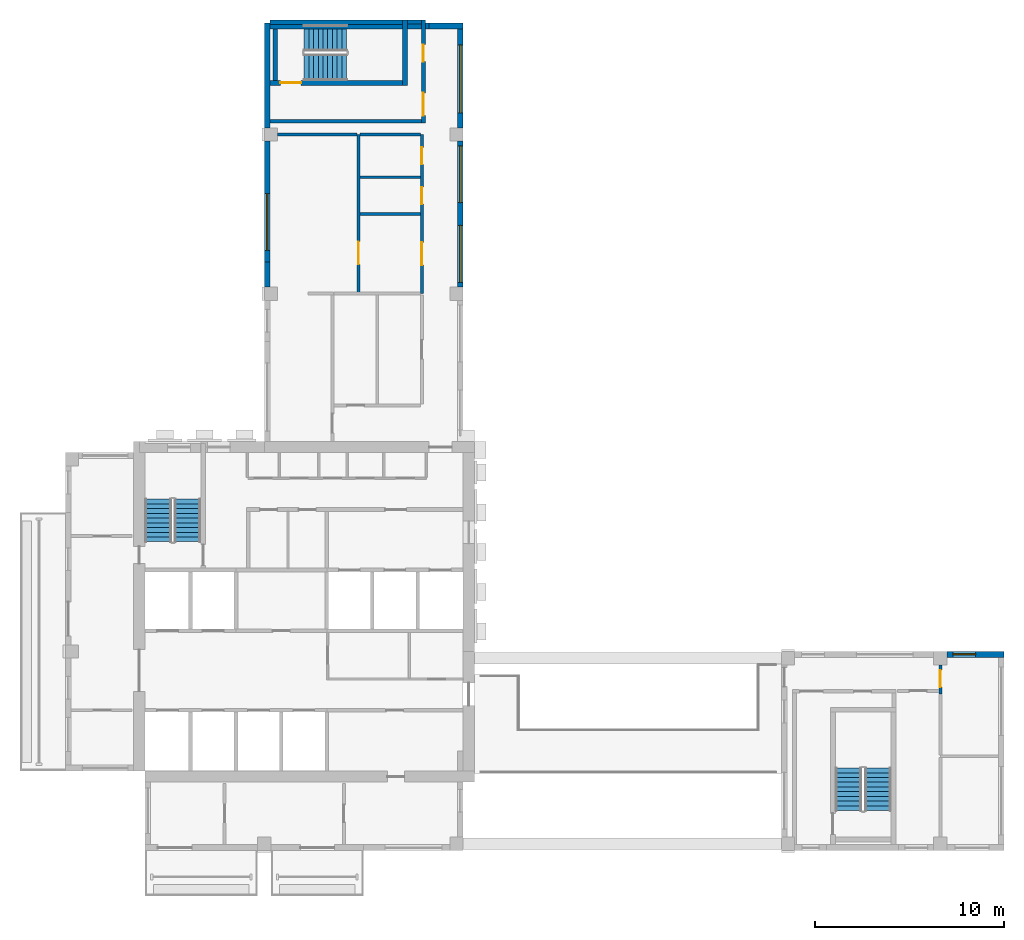
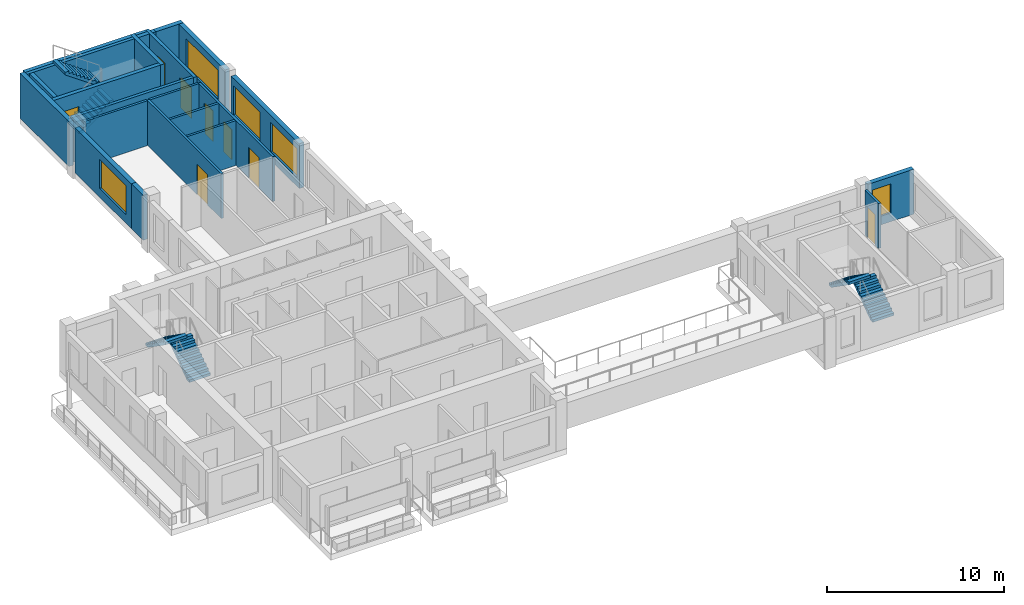
# One storey, part 5 of 9: 22 walls, 8 doors, 6 stair flights, 5 windows, 13 openings, 3 elements without a shape of their own.
"""IFC4 building model written with IfcOpenShell, lengths in metres."""

from ifc_helpers import new_model, si_unit, direction, frame, frame_2d, origin, place, context, subcontext, project, spatial, polyline, rectangle, outline, extrude, source, transform, mapped, material, layer, layer_set, type_object, element, fill, aggregate, save


model = new_model("IFC4")

# Units and contexts
model_context = context("Model", 3, precision=1e-05, world=origin(), true_north=direction((0.0, 1.0)))
body_context = subcontext(model_context, "Body", "Model", "MODEL_VIEW")
ifc_project = project(units=[si_unit("LENGTHUNIT", "METRE"), si_unit("AREAUNIT", "SQUARE_METRE"), si_unit("VOLUMEUNIT", "CUBIC_METRE"), si_unit("PLANEANGLEUNIT", "RADIAN"), si_unit("MASSUNIT", "GRAM", prefix="KILO")], contexts=[model_context])

# Site, building, storey
site_placement = place(None, origin())
site = spatial("IfcSite", under=ifc_project, at=site_placement, CompositionType="ELEMENT")
building_placement = place(site_placement, origin())
building = spatial("IfcBuilding", under=site, at=building_placement, Name="Aurelian Terraces", CompositionType="ELEMENT")
storey_placement = place(building_placement, frame((0.0, 0.0, 305.5)))
storey = spatial("IfcBuildingStorey", under=building, at=storey_placement, Name="L70", CompositionType="ELEMENT", Elevation=305.5)

# Wall, openings, windows
ifc_material_1 = material(Name="Terracotta rainscreen cladding", Category="masonry")
ifc_layer_1 = layer(ifc_material_1, 0.3)
ifc_layer_set_1 = layer_set([ifc_layer_1], Name="EW-300")
wall_type_1 = type_object("IfcWallType", Name="EW-300", PredefinedType="STANDARD", material=ifc_layer_set_1)
shared_shape_1 = source(origin(), body_context, "Body", "SweptSolid", [
    extrude(rectangle(XDim=7.7, YDim=0.3, at=frame_2d((3.85, 0.0))), origin(), (0.0, 0.0, 1.0), 3.1),
])
wall_1_placement = place(storey_placement, frame((20.85, 29.75, 0.0), z_axis=(0.0, 0.0, 1.0), x_axis=(0.0, 1.0, 0.0)))
wall_1 = element("IfcWall", 1, at=wall_1_placement, inside=storey, type_object=wall_type_1, Name="External wall L70 F02.8", PredefinedType="STANDARD", context=body_context, shape_type="MappedRepresentation", body=[
    mapped(shared_shape_1, transform((0.0, 0.0, 0.0), scale=1.0)),
])
shared_shape_2 = source(origin(), body_context, "Body", "SweptSolid", [
    extrude(rectangle(XDim=3.0, YDim=2.0, at=frame_2d((1.5, 1.0))), frame((0.0, 0.16, 0.0), z_axis=(0.0, -1.0, 0.0), x_axis=(1.0, 0.0, 0.0)), (0.0, 0.0, 1.0), 0.32),
])
opening_1_placement = place(wall_1_placement, frame((0.25, 0.0, 0.6)))
opening_1 = element("IfcOpeningElement", 2, at=opening_1_placement, cuts=wall_1, Name="Opening W3020", PredefinedType="OPENING", context=body_context, shape_type="MappedRepresentation", body=[
    mapped(shared_shape_2, transform((0.0, 0.0, 0.0), scale=1.0)),
])
opening_2_placement = place(wall_1_placement, frame((4.45, 0.0, 0.6)))
opening_2 = element("IfcOpeningElement", 3, at=opening_2_placement, cuts=wall_1, Name="Opening W3020", PredefinedType="OPENING", context=body_context, shape_type="MappedRepresentation", body=[
    mapped(shared_shape_2, transform((0.0, 0.0, 0.0), scale=1.0)),
])
ifc_material_2 = material(Name="Clear glazing", Category="glass")
window_type_1 = type_object("IfcWindowType", Name="W-3000x2000", PartitioningType="SINGLE_PANEL", PredefinedType="WINDOW", material=ifc_material_2)
shared_shape_3 = source(origin(), body_context, "Body", "SweptSolid", [
    extrude(rectangle(XDim=3.0, YDim=2.0, at=frame_2d((1.5, 1.0))), frame((0.0, 0.03, 0.0), z_axis=(0.0, -1.0, 0.0), x_axis=(1.0, 0.0, 0.0)), (0.0, 0.0, 1.0), 0.06),
])
window_1_placement = place(opening_1_placement, origin())
window_1 = element("IfcWindow", 4, at=window_1_placement, inside=storey, type_object=window_type_1, Name="Window L70 L70-F02-08-0", OverallHeight=2.0, OverallWidth=3.0, PartitioningType="SINGLE_PANEL", PredefinedType="WINDOW", context=body_context, shape_type="MappedRepresentation", body=[
    mapped(shared_shape_3, transform((0.0, 0.0, 0.0), scale=1.0)),
])
fill(opening_1, window_1)
window_2_placement = place(opening_2_placement, origin())
window_2 = element("IfcWindow", 5, at=window_2_placement, inside=storey, type_object=window_type_1, Name="Window L70 L70-F02-08-1", OverallHeight=2.0, OverallWidth=3.0, PartitioningType="SINGLE_PANEL", PredefinedType="WINDOW", context=body_context, shape_type="MappedRepresentation", body=[
    mapped(shared_shape_3, transform((0.0, 0.0, 0.0), scale=1.0)),
])
fill(opening_2, window_2)

# Wall, opening, window
shared_shape_4 = source(origin(), body_context, "Body", "SweptSolid", [
    extrude(rectangle(XDim=3.01, YDim=0.3, at=frame_2d((1.505, 0.0))), origin(), (0.0, 0.0, 1.0), 3.1),
])
wall_2_placement = place(storey_placement, frame((49.56, 10.35, 0.0), z_axis=(0.0, 0.0, 1.0), x_axis=(-1.0, 0.0, 0.0)))
wall_2 = element("IfcWall", 6, at=wall_2_placement, inside=storey, type_object=wall_type_1, Name="External wall L70 F15.26", PredefinedType="STANDARD", context=body_context, shape_type="MappedRepresentation", body=[
    mapped(shared_shape_4, transform((0.0, 0.0, 0.0), scale=1.0)),
])
shared_shape_5 = source(origin(), body_context, "Body", "SweptSolid", [
    extrude(rectangle(XDim=1.2, YDim=2.0, at=frame_2d((0.6, 1.0))), frame((0.0, 0.16, 0.0), z_axis=(0.0, -1.0, 0.0), x_axis=(1.0, 0.0, 0.0)), (0.0, 0.0, 1.0), 0.32),
])
opening_3_placement = place(wall_2_placement, frame((1.5, 0.0, 0.6)))
opening_3 = element("IfcOpeningElement", 7, at=opening_3_placement, cuts=wall_2, Name="Opening W1220", PredefinedType="OPENING", context=body_context, shape_type="MappedRepresentation", body=[
    mapped(shared_shape_5, transform((0.0, 0.0, 0.0), scale=1.0)),
])
window_type_2 = type_object("IfcWindowType", Name="W-1200x2000", PartitioningType="SINGLE_PANEL", PredefinedType="WINDOW", material=ifc_material_2)
shared_shape_6 = source(origin(), body_context, "Body", "SweptSolid", [
    extrude(rectangle(XDim=1.2, YDim=2.0, at=frame_2d((0.6, 1.0))), frame((0.0, 0.03, 0.0), z_axis=(0.0, -1.0, 0.0), x_axis=(1.0, 0.0, 0.0)), (0.0, 0.0, 1.0), 0.06),
])
window_3_placement = place(opening_3_placement, origin())
window_3 = element("IfcWindow", 8, at=window_3_placement, inside=storey, type_object=window_type_2, Name="Window L70 L70-F15-26-0", OverallHeight=2.0, OverallWidth=1.2, PartitioningType="SINGLE_PANEL", PredefinedType="WINDOW", context=body_context, shape_type="MappedRepresentation", body=[
    mapped(shared_shape_6, transform((0.0, 0.0, 0.0), scale=1.0)),
])
fill(opening_3, window_3)

shared_shape_7 = source(origin(), body_context, "Body", "SweptSolid", [
    extrude(rectangle(XDim=5.53, YDim=0.3, at=frame_2d((2.765, 0.0))), origin(), (0.0, 0.0, 1.0), 3.1),
])
wall_3_placement = place(storey_placement, frame((20.85, 38.15, 0.0), z_axis=(0.0, 0.0, 1.0), x_axis=(0.0, 1.0, 0.0)))
wall_3 = element("IfcWall", 9, at=wall_3_placement, inside=storey, type_object=wall_type_1, Name="External wall L70 F02.9", PredefinedType="STANDARD", context=body_context, shape_type="MappedRepresentation", body=[
    mapped(shared_shape_7, transform((0.0, 0.0, 0.0), scale=1.0)),
])
shared_shape_8 = source(origin(), body_context, "Body", "SweptSolid", [
    extrude(rectangle(XDim=3.6, YDim=2.0, at=frame_2d((1.8, 1.0))), frame((0.0, 0.16, 0.0), z_axis=(0.0, -1.0, 0.0), x_axis=(1.0, 0.0, 0.0)), (0.0, 0.0, 1.0), 0.32),
])
opening_4_placement = place(wall_3_placement, frame((0.79, 0.0, 0.6)))
opening_4 = element("IfcOpeningElement", 10, at=opening_4_placement, cuts=wall_3, Name="Opening W3620", PredefinedType="OPENING", context=body_context, shape_type="MappedRepresentation", body=[
    mapped(shared_shape_8, transform((0.0, 0.0, 0.0), scale=1.0)),
])
window_type_3 = type_object("IfcWindowType", Name="W-3600x2000", PartitioningType="SINGLE_PANEL", PredefinedType="WINDOW", material=ifc_material_2)
shared_shape_9 = source(origin(), body_context, "Body", "SweptSolid", [
    extrude(rectangle(XDim=3.6, YDim=2.0, at=frame_2d((1.8, 1.0))), frame((0.0, 0.03, 0.0), z_axis=(0.0, -1.0, 0.0), x_axis=(1.0, 0.0, 0.0)), (0.0, 0.0, 1.0), 0.06),
])
window_4_placement = place(opening_4_placement, origin())
window_4 = element("IfcWindow", 11, at=window_4_placement, inside=storey, type_object=window_type_3, Name="Window L70 L70-F02-09-0", OverallHeight=2.0, OverallWidth=3.6, PartitioningType="SINGLE_PANEL", PredefinedType="WINDOW", context=body_context, shape_type="MappedRepresentation", body=[
    mapped(shared_shape_9, transform((0.0, 0.0, 0.0), scale=1.0)),
])
fill(opening_4, window_4)

# Walls
shared_shape_10 = source(origin(), body_context, "Body", "SweptSolid", [
    extrude(rectangle(XDim=1.8, YDim=0.3, at=frame_2d((0.9, 0.0))), origin(), (0.0, 0.0, 1.0), 3.1),
])
wall_4_placement = place(storey_placement, frame((21.0, 43.53, 0.0), z_axis=(0.0, 0.0, 1.0), x_axis=(-1.0, 0.0, 0.0)))
element("IfcWall", 12, at=wall_4_placement, inside=storey, type_object=wall_type_1, Name="External wall L70 F03.10", PredefinedType="STANDARD", context=body_context, shape_type="MappedRepresentation", body=[
    mapped(shared_shape_10, transform((0.0, 0.0, 0.0), scale=1.0)),
])
ifc_material_3 = material(Name="Concrete fc' 40 MPa", Category="concrete")
ifc_layer_2 = layer(ifc_material_3, 0.3)
ifc_layer_set_2 = layer_set([ifc_layer_2], Name="STAIR BAY WALL 300")
wall_type_2 = type_object("IfcWallType", Name="STAIR BAY WALL 300", PredefinedType="SOLIDWALL", material=ifc_layer_set_2)
shared_shape_11 = source(origin(), body_context, "Body", "SweptSolid", [
    extrude(rectangle(XDim=8.6, YDim=0.3, at=frame_2d((4.3, 0.0))), origin(), (0.0, 0.0, 1.0), 3.1),
])
wall_5_placement = place(storey_placement, frame((19.2, 43.53, 0.0), z_axis=(0.0, 0.0, 1.0), x_axis=(-1.0, 0.0, 0.0)))
element("IfcWall", 13, at=wall_5_placement, inside=storey, type_object=wall_type_2, Name="Stair bay wall L70 F03.10", PredefinedType="SOLIDWALL", context=body_context, shape_type="MappedRepresentation", body=[
    mapped(shared_shape_11, transform((0.0, 0.0, 0.0), scale=1.0)),
])
shared_shape_12 = source(origin(), body_context, "Body", "SweptSolid", [
    extrude(rectangle(XDim=5.53, YDim=0.3, at=frame_2d((2.765, 0.0))), origin(), (0.0, 0.0, 1.0), 3.1),
])
wall_6_placement = place(storey_placement, frame((10.65, 43.68, 0.0), z_axis=(0.0, 0.0, 1.0), x_axis=(0.0, -1.0, 0.0)))
element("IfcWall", 14, at=wall_6_placement, inside=storey, type_object=wall_type_2, Name="Stair bay wall L70 F04.11", PredefinedType="SOLIDWALL", context=body_context, shape_type="MappedRepresentation", body=[
    mapped(shared_shape_12, transform((0.0, 0.0, 0.0), scale=1.0)),
])

# Wall, opening, window
shared_shape_13 = source(origin(), body_context, "Body", "SweptSolid", [
    extrude(rectangle(XDim=6.37, YDim=0.3, at=frame_2d((3.185, 0.0))), origin(), (0.0, 0.0, 1.0), 3.1),
])
wall_7_placement = place(storey_placement, frame((10.65, 37.45, 0.0), z_axis=(0.0, 0.0, 1.0), x_axis=(0.0, -1.0, 0.0)))
wall_7 = element("IfcWall", 15, at=wall_7_placement, inside=storey, type_object=wall_type_1, Name="External wall L70 F04.11", PredefinedType="STANDARD", context=body_context, shape_type="MappedRepresentation", body=[
    mapped(shared_shape_13, transform((0.0, 0.0, 0.0), scale=1.0)),
])
opening_5_placement = place(wall_7_placement, frame((2.77, 0.0, 0.6)))
opening_5 = element("IfcOpeningElement", 16, at=opening_5_placement, cuts=wall_7, Name="Opening W3020", PredefinedType="OPENING", context=body_context, shape_type="MappedRepresentation", body=[
    mapped(shared_shape_2, transform((0.0, 0.0, 0.0), scale=1.0)),
])
window_5_placement = place(opening_5_placement, origin())
window_5 = element("IfcWindow", 17, at=window_5_placement, inside=storey, type_object=window_type_1, Name="Window L70 L70-F04-11-2", OverallHeight=2.0, OverallWidth=3.0, PartitioningType="SINGLE_PANEL", PredefinedType="WINDOW", context=body_context, shape_type="MappedRepresentation", body=[
    mapped(shared_shape_3, transform((0.0, 0.0, 0.0), scale=1.0)),
])
fill(opening_5, window_5)

# Wall
shared_shape_14 = source(origin(), body_context, "Body", "SweptSolid", [
    extrude(rectangle(XDim=1.33, YDim=0.3, at=frame_2d((0.665, 0.0))), origin(), (0.0, 0.0, 1.0), 3.1),
])
wall_8_placement = place(storey_placement, frame((10.65, 31.08, 0.0), z_axis=(0.0, 0.0, 1.0), x_axis=(0.0, -1.0, 0.0)))
element("IfcWall", 18, at=wall_8_placement, inside=storey, type_object=wall_type_1, Name="External wall L70 F04.12", PredefinedType="STANDARD", context=body_context, shape_type="MappedRepresentation", body=[
    mapped(shared_shape_14, transform((0.0, 0.0, 0.0), scale=1.0)),
])

# Wall, opening, door
ifc_layer_3 = layer(ifc_material_3, 0.25)
ifc_layer_set_3 = layer_set([ifc_layer_3], Name="Stair enclosure wall 250")
wall_type_3 = type_object("IfcWallType", Name="Stair enclosure wall 250", PredefinedType="SOLIDWALL", material=ifc_layer_set_3)
shared_shape_15 = source(origin(), body_context, "Body", "SweptSolid", [
    extrude(rectangle(XDim=7.0, YDim=0.25, at=frame_2d((3.5, 0.0))), origin(), (0.0, 0.0, 1.0), 3.1),
])
wall_9_placement = place(storey_placement, frame((10.8, 40.525, 0.0), z_axis=(0.0, 0.0, 1.0), x_axis=(1.0, 0.0, 0.0)))
wall_9 = element("IfcWall", 19, at=wall_9_placement, inside=storey, type_object=wall_type_3, Name="L70 core wall ST-S3U-W", PredefinedType="SOLIDWALL", context=body_context, shape_type="MappedRepresentation", body=[
    mapped(shared_shape_15, transform((0.0, 0.0, 0.0), scale=1.0)),
])
shared_shape_16 = source(origin(), body_context, "Body", "SweptSolid", [
    extrude(rectangle(XDim=1.1, YDim=2.1, at=frame_2d((0.55, 1.05))), frame((0.0, 0.135, 0.0), z_axis=(0.0, -1.0, 0.0), x_axis=(1.0, 0.0, 0.0)), (0.0, 0.0, 1.0), 0.27),
])
opening_6_placement = place(wall_9_placement, frame((0.55, 0.0, 0.0)))
opening_6 = element("IfcOpeningElement", 20, at=opening_6_placement, cuts=wall_9, Name="Opening 67325", PredefinedType="OPENING", context=body_context, shape_type="MappedRepresentation", body=[
    mapped(shared_shape_16, transform((0.0, 0.0, 0.0), scale=1.0)),
])
ifc_material_4 = material(Name="Steel door leaf", Category="steel")
door_type_1 = type_object("IfcDoorType", Name="Core fire door 1100x2100", OperationType="SINGLE_SWING_LEFT", PredefinedType="DOOR", material=ifc_material_4)
shared_shape_17 = source(origin(), body_context, "Body", "SweptSolid", [
    extrude(rectangle(XDim=1.1, YDim=2.1, at=frame_2d((0.55, 1.05))), frame((0.0, 0.025, 0.0), z_axis=(0.0, -1.0, 0.0), x_axis=(1.0, 0.0, 0.0)), (0.0, 0.0, 1.0), 0.05),
])
door_1_placement = place(opening_6_placement, origin())
door_1 = element("IfcDoor", 21, at=door_1_placement, inside=storey, type_object=door_type_1, Name="Stair door 67325", OperationType="SINGLE_SWING_LEFT", OverallHeight=2.1, OverallWidth=1.1, PredefinedType="DOOR", context=body_context, shape_type="MappedRepresentation", body=[
    mapped(shared_shape_17, transform((0.0, 0.0, 0.0), scale=1.0)),
])
fill(opening_6, door_1)

# Walls
wall_10_placement = place(storey_placement, frame((10.8, 43.725, 0.0), z_axis=(0.0, 0.0, 1.0), x_axis=(1.0, 0.0, 0.0)))
element("IfcWall", 22, at=wall_10_placement, inside=storey, type_object=wall_type_3, Name="L70 core wall ST-S3U-E", PredefinedType="SOLIDWALL", context=body_context, shape_type="MappedRepresentation", body=[
    mapped(shared_shape_15, transform((0.0, 0.0, 0.0), scale=1.0)),
])
shared_shape_18 = source(origin(), body_context, "Body", "SweptSolid", [
    extrude(rectangle(XDim=3.45, YDim=0.25, at=frame_2d((1.725, 0.0))), origin(), (0.0, 0.0, 1.0), 3.1),
])
wall_11_placement = place(storey_placement, frame((17.925, 40.4, 0.0), z_axis=(0.0, 0.0, 1.0), x_axis=(0.0, 1.0, 0.0)))
element("IfcWall", 23, at=wall_11_placement, inside=storey, type_object=wall_type_3, Name="L70 core wall ST-S3U-N", PredefinedType="SOLIDWALL", context=body_context, shape_type="MappedRepresentation", body=[
    mapped(shared_shape_18, transform((0.0, 0.0, 0.0), scale=1.0)),
])
ifc_material_5 = material(Name="Gypsum board on steel studs", Category="steel")
ifc_layer_4 = layer(ifc_material_5, 0.2)
ifc_layer_set_4 = layer_set([ifc_layer_4], Name="Core partition 200")
wall_type_4 = type_object("IfcWallType", Name="Core partition 200", PredefinedType="PARTITIONING", material=ifc_layer_set_4)
shared_shape_19 = source(origin(), body_context, "Body", "SweptSolid", [
    extrude(rectangle(XDim=8.0, YDim=0.2, at=frame_2d((4.0, 0.0))), origin(), (0.0, 0.0, 1.0), 3.1),
])
wall_12_placement = place(storey_placement, frame((10.8, 38.5, 0.0), z_axis=(0.0, 0.0, 1.0), x_axis=(1.0, 0.0, 0.0)))
element("IfcWall", 24, at=wall_12_placement, inside=storey, type_object=wall_type_4, Name="L70 core wall ST-S3U-VW", PredefinedType="PARTITIONING", context=body_context, shape_type="MappedRepresentation", body=[
    mapped(shared_shape_19, transform((0.0, 0.0, 0.0), scale=1.0)),
])

# Wall, openings, doors
shared_shape_20 = source(origin(), body_context, "Body", "SweptSolid", [
    extrude(rectangle(XDim=5.45, YDim=0.2, at=frame_2d((2.725, 0.0))), origin(), (0.0, 0.0, 1.0), 3.1),
])
wall_13_placement = place(storey_placement, frame((18.9, 38.4, 0.0), z_axis=(0.0, 0.0, 1.0), x_axis=(0.0, 1.0, 0.0)))
wall_13 = element("IfcWall", 25, at=wall_13_placement, inside=storey, type_object=wall_type_4, Name="L70 core wall ST-S3U-BN", PredefinedType="PARTITIONING", context=body_context, shape_type="MappedRepresentation", body=[
    mapped(shared_shape_20, transform((0.0, 0.0, 0.0), scale=1.0)),
])
shared_shape_21 = source(origin(), body_context, "Body", "SweptSolid", [
    extrude(rectangle(XDim=1.2, YDim=2.1, at=frame_2d((0.6, 1.05))), frame((0.0, 0.11, 0.0), z_axis=(0.0, -1.0, 0.0), x_axis=(1.0, 0.0, 0.0)), (0.0, 0.0, 1.0), 0.22),
])
opening_7_placement = place(wall_13_placement, frame((0.4, 0.0, 0.0)))
opening_7 = element("IfcOpeningElement", 26, at=opening_7_placement, cuts=wall_13, Name="Opening 67326", PredefinedType="OPENING", context=body_context, shape_type="MappedRepresentation", body=[
    mapped(shared_shape_21, transform((0.0, 0.0, 0.0), scale=1.0)),
])
shared_shape_22 = source(origin(), body_context, "Body", "SweptSolid", [
    extrude(rectangle(XDim=0.9, YDim=2.1, at=frame_2d((0.45, 1.05))), frame((0.0, 0.11, 0.0), z_axis=(0.0, -1.0, 0.0), x_axis=(1.0, 0.0, 0.0)), (0.0, 0.0, 1.0), 0.22),
])
opening_8_placement = place(wall_13_placement, frame((3.25, 0.0, 0.0)))
opening_8 = element("IfcOpeningElement", 27, at=opening_8_placement, cuts=wall_13, Name="Opening 67327", PredefinedType="OPENING", context=body_context, shape_type="MappedRepresentation", body=[
    mapped(shared_shape_22, transform((0.0, 0.0, 0.0), scale=1.0)),
])
door_type_2 = type_object("IfcDoorType", Name="Core riser door 900x2100", OperationType="SINGLE_SWING_LEFT", PredefinedType="DOOR", material=ifc_material_4)
shared_shape_23 = source(origin(), body_context, "Body", "SweptSolid", [
    extrude(rectangle(XDim=0.9, YDim=2.1, at=frame_2d((0.45, 1.05))), frame((0.0, 0.025, 0.0), z_axis=(0.0, -1.0, 0.0), x_axis=(1.0, 0.0, 0.0)), (0.0, 0.0, 1.0), 0.05),
])
door_2_placement = place(opening_8_placement, origin())
door_2 = element("IfcDoor", 28, at=door_2_placement, inside=storey, type_object=door_type_2, Name="Riser door 67327", OperationType="SINGLE_SWING_LEFT", OverallHeight=2.1, OverallWidth=0.9, PredefinedType="DOOR", context=body_context, shape_type="MappedRepresentation", body=[
    mapped(shared_shape_23, transform((0.0, 0.0, 0.0), scale=1.0)),
])
fill(opening_8, door_2)
door_type_3 = type_object("IfcDoorType", Name="Core fire door 1200x2100 right", OperationType="SINGLE_SWING_RIGHT", PredefinedType="DOOR", material=ifc_material_4)
shared_shape_24 = source(origin(), body_context, "Body", "SweptSolid", [
    extrude(rectangle(XDim=1.2, YDim=2.1, at=frame_2d((0.6, 1.05))), frame((0.0, 0.025, 0.0), z_axis=(0.0, -1.0, 0.0), x_axis=(1.0, 0.0, 0.0)), (0.0, 0.0, 1.0), 0.05),
])
door_3_placement = place(opening_7_placement, origin())
door_3 = element("IfcDoor", 29, at=door_3_placement, inside=storey, type_object=door_type_3, Name="Vestibule door 67326", OperationType="SINGLE_SWING_RIGHT", OverallHeight=2.1, OverallWidth=1.2, PredefinedType="DOOR", context=body_context, shape_type="MappedRepresentation", body=[
    mapped(shared_shape_24, transform((0.0, 0.0, 0.0), scale=1.0)),
])
fill(opening_7, door_3)

# Walls
shared_shape_25 = source(origin(), body_context, "Body", "SweptSolid", [
    extrude(rectangle(XDim=0.75, YDim=0.2, at=frame_2d((0.375, 0.0))), origin(), (0.0, 0.0, 1.0), 3.1),
])
wall_14_placement = place(storey_placement, frame((18.05, 43.75, 0.0), z_axis=(0.0, 0.0, 1.0), x_axis=(1.0, 0.0, 0.0)))
element("IfcWall", 30, at=wall_14_placement, inside=storey, type_object=wall_type_4, Name="L70 core wall ST-S3U-RE", PredefinedType="PARTITIONING", context=body_context, shape_type="MappedRepresentation", body=[
    mapped(shared_shape_25, transform((0.0, 0.0, 0.0), scale=1.0)),
])
shared_shape_26 = source(origin(), body_context, "Body", "SweptSolid", [
    extrude(rectangle(XDim=2.73, YDim=0.25, at=frame_2d((1.365, 0.0))), origin(), (0.0, 0.0, 1.0), 3.1),
])
wall_15_placement = place(storey_placement, frame((11.075, 40.65, 0.0), z_axis=(0.0, 0.0, 1.0), x_axis=(0.0, 1.0, 0.0)))
element("IfcWall", 31, at=wall_15_placement, inside=storey, type_object=wall_type_3, Name="L70 core wall ST-S3U-SS", PredefinedType="SOLIDWALL", context=body_context, shape_type="MappedRepresentation", body=[
    mapped(shared_shape_26, transform((0.0, 0.0, 0.0), scale=1.0)),
])
ifc_layer_5 = layer(ifc_material_5, 0.15)
ifc_layer_set_5 = layer_set([ifc_layer_5], Name="Partition 150")
wall_type_5 = type_object("IfcWallType", Name="Partition 150", PredefinedType="PARTITIONING", material=ifc_layer_set_5)
shared_shape_27 = source(origin(), body_context, "Body", "SweptSolid", [
    extrude(rectangle(XDim=3.2, YDim=0.15, at=frame_2d((1.6, 0.0))), origin(), (0.0, 0.0, 1.0), 3.1),
])
for number, where, z_axis, x_axis, name in (
    (32, (18.75, 33.6049, 0.0), (0.0, 0.0, 1.0), (-1.0, 0.0, 0.0), "Partition"),
    (33, (18.75, 35.5483, 0.0), (0.0, 0.0, 1.0), (-1.0, 0.0, 0.0), "Partition"),
):
    element("IfcWall", number, at=place(storey_placement, frame(where, z_axis=z_axis, x_axis=x_axis)), inside=storey, type_object=wall_type_5, Name=name, PredefinedType="PARTITIONING", context=body_context, shape_type="MappedRepresentation", body=[
        mapped(shared_shape_27, transform((0.0, 0.0, 0.0), scale=1.0)),
    ])
ifc_layer_6 = layer(ifc_material_5, 0.15)
ifc_layer_set_6 = layer_set([ifc_layer_6], Name="Fire partition 150")
wall_type_6 = type_object("IfcWallType", Name="Fire partition 150", PredefinedType="PARTITIONING", material=ifc_layer_set_6)
wall_16_placement = place(storey_placement, frame((18.75, 37.8, 0.0), z_axis=(0.0, 0.0, 1.0), x_axis=(-1.0, 0.0, 0.0)))
element("IfcWall", 34, at=wall_16_placement, inside=storey, type_object=wall_type_6, Name="Party wall", PredefinedType="PARTITIONING", context=body_context, shape_type="MappedRepresentation", body=[
    mapped(shared_shape_27, transform((0.0, 0.0, 0.0), scale=1.0)),
])
shared_shape_28 = source(origin(), body_context, "Body", "SweptSolid", [
    extrude(rectangle(XDim=4.201, YDim=0.15, at=frame_2d((2.1005, 0.0))), origin(), (0.0, 0.0, 1.0), 3.1),
])
wall_17_placement = place(storey_placement, frame((15.4, 37.8, 0.0), z_axis=(0.0, 0.0, 1.0), x_axis=(-1.0, 0.0, 0.0)))
element("IfcWall", 35, at=wall_17_placement, inside=storey, type_object=wall_type_6, Name="Party wall", PredefinedType="PARTITIONING", context=body_context, shape_type="MappedRepresentation", body=[
    mapped(shared_shape_28, transform((0.0, 0.0, 0.0), scale=1.0)),
])

# Wall, opening, door
shared_shape_29 = source(origin(), body_context, "Body", "SweptSolid", [
    extrude(rectangle(XDim=8.4, YDim=0.15, at=frame_2d((4.2, 0.0))), origin(), (0.0, 0.0, 1.0), 3.1),
])
wall_18_placement = place(storey_placement, frame((15.475, 29.4, 0.0), z_axis=(0.0, 0.0, 1.0), x_axis=(0.0, 1.0, 0.0)))
wall_18 = element("IfcWall", 36, at=wall_18_placement, inside=storey, type_object=wall_type_5, Name="Partition", PredefinedType="PARTITIONING", context=body_context, shape_type="MappedRepresentation", body=[
    mapped(shared_shape_29, transform((0.0, 0.0, 0.0), scale=1.0)),
])
shared_shape_30 = source(origin(), body_context, "Body", "SweptSolid", [
    extrude(rectangle(XDim=1.2, YDim=2.1, at=frame_2d((0.6, 1.05))), frame((0.0, 0.085, 0.0), z_axis=(0.0, -1.0, 0.0), x_axis=(1.0, 0.0, 0.0)), (0.0, 0.0, 1.0), 0.17),
])
opening_9_placement = place(wall_18_placement, frame((1.5524, 0.0, 0.0)))
opening_9 = element("IfcOpeningElement", 37, at=opening_9_placement, cuts=wall_18, Name="Opening 770010", PredefinedType="OPENING", context=body_context, shape_type="MappedRepresentation", body=[
    mapped(shared_shape_30, transform((0.0, 0.0, 0.0), scale=1.0)),
])
ifc_material_6 = material(Name="Timber door leaf", Category="wood")
door_type_4 = type_object("IfcDoorType", Name="Room door 1200x2100 right", OperationType="SINGLE_SWING_RIGHT", PredefinedType="DOOR", material=ifc_material_6)
door_4_placement = place(opening_9_placement, origin())
door_4 = element("IfcDoor", 38, at=door_4_placement, inside=storey, type_object=door_type_4, Name="Door 770010", OperationType="SINGLE_SWING_RIGHT", OverallHeight=2.1, OverallWidth=1.2, PredefinedType="DOOR", context=body_context, shape_type="MappedRepresentation", body=[
    mapped(shared_shape_24, transform((0.0, 0.0, 0.0), scale=1.0)),
])
fill(opening_9, door_4)

# Wall, openings, doors
wall_19_placement = place(storey_placement, frame((18.825, 29.4, 0.0), z_axis=(0.0, 0.0, 1.0), x_axis=(0.0, 1.0, 0.0)))
wall_19 = element("IfcWall", 39, at=wall_19_placement, inside=storey, type_object=wall_type_6, Name="Corridor wall", PredefinedType="PARTITIONING", context=body_context, shape_type="MappedRepresentation", body=[
    mapped(shared_shape_29, transform((0.0, 0.0, 0.0), scale=1.0)),
])
opening_10_placement = place(wall_19_placement, frame((1.5024, 0.0, 0.0)))
opening_10 = element("IfcOpeningElement", 40, at=opening_10_placement, cuts=wall_19, Name="Opening 770009", PredefinedType="OPENING", context=body_context, shape_type="MappedRepresentation", body=[
    mapped(shared_shape_30, transform((0.0, 0.0, 0.0), scale=1.0)),
])
shared_shape_31 = source(origin(), body_context, "Body", "SweptSolid", [
    extrude(rectangle(XDim=0.9, YDim=2.1, at=frame_2d((0.45, 1.05))), frame((0.0, 0.085, 0.0), z_axis=(0.0, -1.0, 0.0), x_axis=(1.0, 0.0, 0.0)), (0.0, 0.0, 1.0), 0.17),
])
opening_11_placement = place(wall_19_placement, frame((4.7266, 0.0, 0.0)))
opening_11 = element("IfcOpeningElement", 41, at=opening_11_placement, cuts=wall_19, Name="Opening 770011", PredefinedType="OPENING", context=body_context, shape_type="MappedRepresentation", body=[
    mapped(shared_shape_31, transform((0.0, 0.0, 0.0), scale=1.0)),
])
opening_12_placement = place(wall_19_placement, frame((6.8242, 0.0, 0.0)))
opening_12 = element("IfcOpeningElement", 42, at=opening_12_placement, cuts=wall_19, Name="Opening 770012", PredefinedType="OPENING", context=body_context, shape_type="MappedRepresentation", body=[
    mapped(shared_shape_31, transform((0.0, 0.0, 0.0), scale=1.0)),
])
door_type_5 = type_object("IfcDoorType", Name="Entrance fire door 900x2100 left", OperationType="SINGLE_SWING_LEFT", PredefinedType="DOOR", material=ifc_material_4)
door_5_placement = place(opening_11_placement, origin())
door_5 = element("IfcDoor", 43, at=door_5_placement, inside=storey, type_object=door_type_5, Name="Door 770011", OperationType="SINGLE_SWING_LEFT", OverallHeight=2.1, OverallWidth=0.9, PredefinedType="DOOR", context=body_context, shape_type="MappedRepresentation", body=[
    mapped(shared_shape_23, transform((0.0, 0.0, 0.0), scale=1.0)),
])
fill(opening_11, door_5)
door_type_6 = type_object("IfcDoorType", Name="Entrance fire door 900x2100 right", OperationType="SINGLE_SWING_RIGHT", PredefinedType="DOOR", material=ifc_material_4)
door_6_placement = place(opening_12_placement, origin())
door_6 = element("IfcDoor", 44, at=door_6_placement, inside=storey, type_object=door_type_6, Name="Door 770012", OperationType="SINGLE_SWING_RIGHT", OverallHeight=2.1, OverallWidth=0.9, PredefinedType="DOOR", context=body_context, shape_type="MappedRepresentation", body=[
    mapped(shared_shape_23, transform((0.0, 0.0, 0.0), scale=1.0)),
])
fill(opening_12, door_6)
door_type_7 = type_object("IfcDoorType", Name="Entrance fire door 1200x2100 left", OperationType="SINGLE_SWING_LEFT", PredefinedType="DOOR", material=ifc_material_4)
door_7_placement = place(opening_10_placement, origin())
door_7 = element("IfcDoor", 45, at=door_7_placement, inside=storey, type_object=door_type_7, Name="Door 770009", OperationType="SINGLE_SWING_LEFT", OverallHeight=2.1, OverallWidth=1.2, PredefinedType="DOOR", context=body_context, shape_type="MappedRepresentation", body=[
    mapped(shared_shape_24, transform((0.0, 0.0, 0.0), scale=1.0)),
])
fill(opening_10, door_7)

# Wall, opening, door
shared_shape_32 = source(origin(), body_context, "Body", "SweptSolid", [
    extrude(rectangle(XDim=1.551, YDim=0.15, at=frame_2d((0.7755, 0.0))), origin(), (0.0, 0.0, 1.0), 3.1),
])
wall_20_placement = place(storey_placement, frame((46.2, 9.801, 0.0), z_axis=(0.0, 0.0, 1.0), x_axis=(0.0, -1.0, 0.0)))
wall_20 = element("IfcWall", 46, at=wall_20_placement, inside=storey, type_object=wall_type_5, Name="Partition", PredefinedType="PARTITIONING", context=body_context, shape_type="MappedRepresentation", body=[
    mapped(shared_shape_32, transform((0.0, 0.0, 0.0), scale=1.0)),
])
opening_13_placement = place(wall_20_placement, frame((0.275, 0.0, 0.0)))
opening_13 = element("IfcOpeningElement", 47, at=opening_13_placement, cuts=wall_20, Name="Opening 770013", PredefinedType="OPENING", context=body_context, shape_type="MappedRepresentation", body=[
    mapped(shared_shape_31, transform((0.0, 0.0, 0.0), scale=1.0)),
])
door_type_8 = type_object("IfcDoorType", Name="Room door 900x2100 left", OperationType="SINGLE_SWING_LEFT", PredefinedType="DOOR", material=ifc_material_6)
door_8_placement = place(opening_13_placement, origin())
door_8 = element("IfcDoor", 48, at=door_8_placement, inside=storey, type_object=door_type_8, Name="Door 770013", OperationType="SINGLE_SWING_LEFT", OverallHeight=2.1, OverallWidth=0.9, PredefinedType="DOOR", context=body_context, shape_type="MappedRepresentation", body=[
    mapped(shared_shape_23, transform((0.0, 0.0, 0.0), scale=1.0)),
])
fill(opening_13, door_8)

# Stair, stair flights
stair_type = type_object("IfcStairType", Name="Stair 1400", PredefinedType="HALF_TURN_STAIR", material=ifc_material_3)
stair_1_placement = place(storey_placement, origin())
stair_1 = element("IfcStair", 49, at=stair_1_placement, inside=storey, type_object=stair_type, Name="L70 S1", PredefinedType="HALF_TURN_STAIR")
stair_flight_type = type_object("IfcStairFlightType", Name="Stair flight 1400", PredefinedType="STRAIGHT", material=ifc_material_3)
shared_shape_33 = source(origin(), body_context, "Body", "SweptSolid", [
    extrude(outline(polyline([(0.0, 0.0), (0.0, 0.175), (0.25, 0.175), (0.25, 0.35), (0.5, 0.35), (0.5, 0.525), (0.75, 0.525), (0.75, 0.7), (1.0, 0.7), (1.0, 0.875), (1.25, 0.875), (1.25, 1.05), (1.5, 1.05), (1.5, 1.225), (1.75, 1.225), (1.75, 1.4), (2.0, 1.4), (2.0, 1.575), (2.25, 1.575), (2.25, 1.75), (2.25, 1.3919), (0.2616, 0.0), (0.0, 0.0)])), frame((0.0, 0.7, 0.0), z_axis=(0.0, -1.0, 0.0), x_axis=(1.0, 0.0, 0.0)), (0.0, 0.0, 1.0), 1.4),
])
stair_flight_1_placement = place(storey_placement, frame((6.45, 16.3, 2e-08), z_axis=(0.0, 0.0, 1.0), x_axis=(0.0, 1.0, 0.0)))
stair_flight_1 = element("IfcStairFlight", 50, at=stair_flight_1_placement, type_object=stair_flight_type, Name="S1 flight 1", NumberOfRisers=10, NumberOfTreads=9, PredefinedType="STRAIGHT", RiserHeight=0.175, TreadLength=0.25, context=body_context, shape_type="MappedRepresentation", body=[
    mapped(shared_shape_33, transform((0.0, 0.0, 0.0), scale=1.0)),
])
stair_flight_2_placement = place(storey_placement, frame((4.9, 18.55, 1.75000002), z_axis=(0.0, 0.0, 1.0), x_axis=(0.0, -1.0, 0.0)))
stair_flight_2 = element("IfcStairFlight", 51, at=stair_flight_2_placement, type_object=stair_flight_type, Name="S1 flight 2", NumberOfRisers=10, NumberOfTreads=9, PredefinedType="STRAIGHT", RiserHeight=0.175, TreadLength=0.25, context=body_context, shape_type="MappedRepresentation", body=[
    mapped(shared_shape_33, transform((0.0, 0.0, 0.0), scale=1.0)),
])
aggregate(stair_1, [stair_flight_1, stair_flight_2])

stair_2_placement = place(storey_placement, origin())
stair_2 = element("IfcStair", 52, at=stair_2_placement, inside=storey, type_object=stair_type, Name="L70 S2", PredefinedType="HALF_TURN_STAIR")
stair_flight_3_placement = place(storey_placement, frame((42.9, 2.1, 2e-08), z_axis=(0.0, 0.0, 1.0), x_axis=(0.0, 1.0, 0.0)))
stair_flight_3 = element("IfcStairFlight", 53, at=stair_flight_3_placement, type_object=stair_flight_type, Name="S2 flight 1", NumberOfRisers=10, NumberOfTreads=9, PredefinedType="STRAIGHT", RiserHeight=0.175, TreadLength=0.25, context=body_context, shape_type="MappedRepresentation", body=[
    mapped(shared_shape_33, transform((0.0, 0.0, 0.0), scale=1.0)),
])
stair_flight_4_placement = place(storey_placement, frame((41.35, 4.35, 1.75000002), z_axis=(0.0, 0.0, 1.0), x_axis=(0.0, -1.0, 0.0)))
stair_flight_4 = element("IfcStairFlight", 54, at=stair_flight_4_placement, type_object=stair_flight_type, Name="S2 flight 2", NumberOfRisers=10, NumberOfTreads=9, PredefinedType="STRAIGHT", RiserHeight=0.175, TreadLength=0.25, context=body_context, shape_type="MappedRepresentation", body=[
    mapped(shared_shape_33, transform((0.0, 0.0, 0.0), scale=1.0)),
])
aggregate(stair_2, [stair_flight_3, stair_flight_4])

stair_3_placement = place(storey_placement, origin())
stair_3 = element("IfcStair", 55, at=stair_3_placement, inside=storey, type_object=stair_type, Name="L70 S3U", PredefinedType="HALF_TURN_STAIR")
stair_flight_5_placement = place(storey_placement, frame((12.6, 41.35, 2e-08), z_axis=(0.0, 0.0, 1.0), x_axis=(1.0, 0.0, 0.0)))
stair_flight_5 = element("IfcStairFlight", 56, at=stair_flight_5_placement, type_object=stair_flight_type, Name="S3U flight 1", NumberOfRisers=10, NumberOfTreads=9, PredefinedType="STRAIGHT", RiserHeight=0.175, TreadLength=0.25, context=body_context, shape_type="MappedRepresentation", body=[
    mapped(shared_shape_33, transform((0.0, 0.0, 0.0), scale=1.0)),
])
stair_flight_6_placement = place(storey_placement, frame((14.85, 42.9, 1.75000002), z_axis=(0.0, 0.0, 1.0), x_axis=(-1.0, 0.0, 0.0)))
stair_flight_6 = element("IfcStairFlight", 57, at=stair_flight_6_placement, type_object=stair_flight_type, Name="S3U flight 2", NumberOfRisers=10, NumberOfTreads=9, PredefinedType="STRAIGHT", RiserHeight=0.175, TreadLength=0.25, context=body_context, shape_type="MappedRepresentation", body=[
    mapped(shared_shape_33, transform((0.0, 0.0, 0.0), scale=1.0)),
])
aggregate(stair_3, [stair_flight_5, stair_flight_6])

save(model, "model.ifc")
